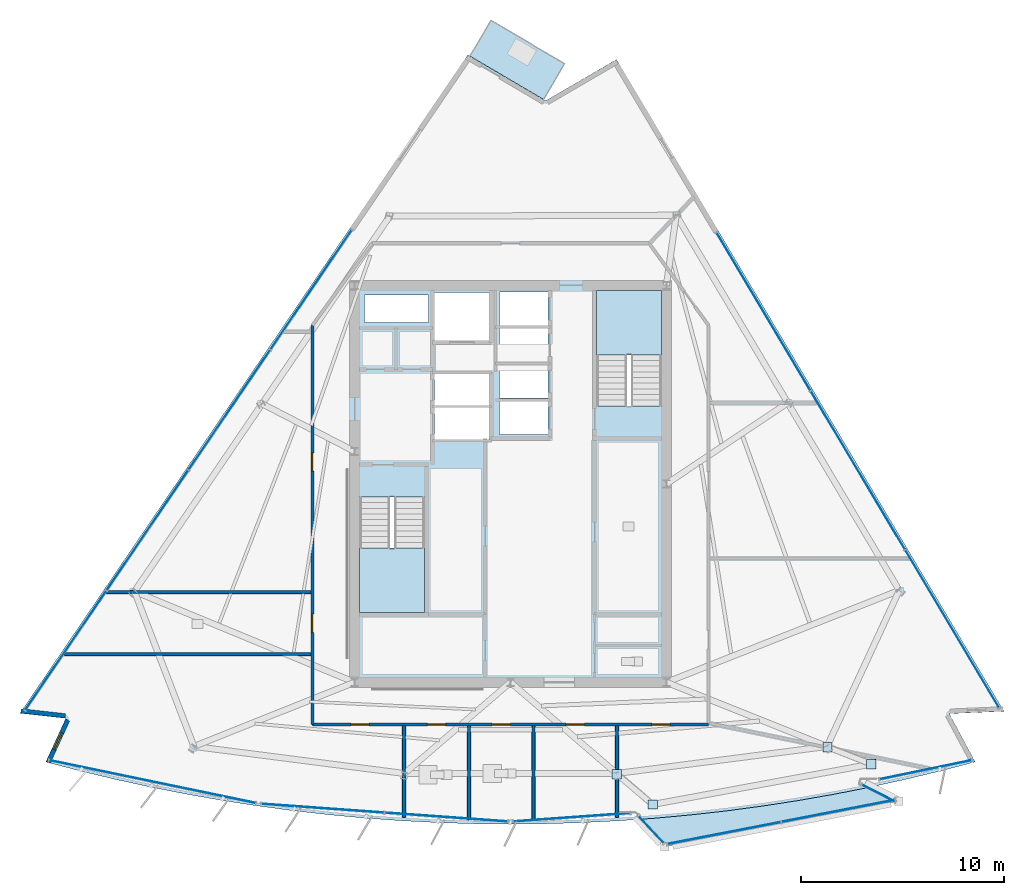
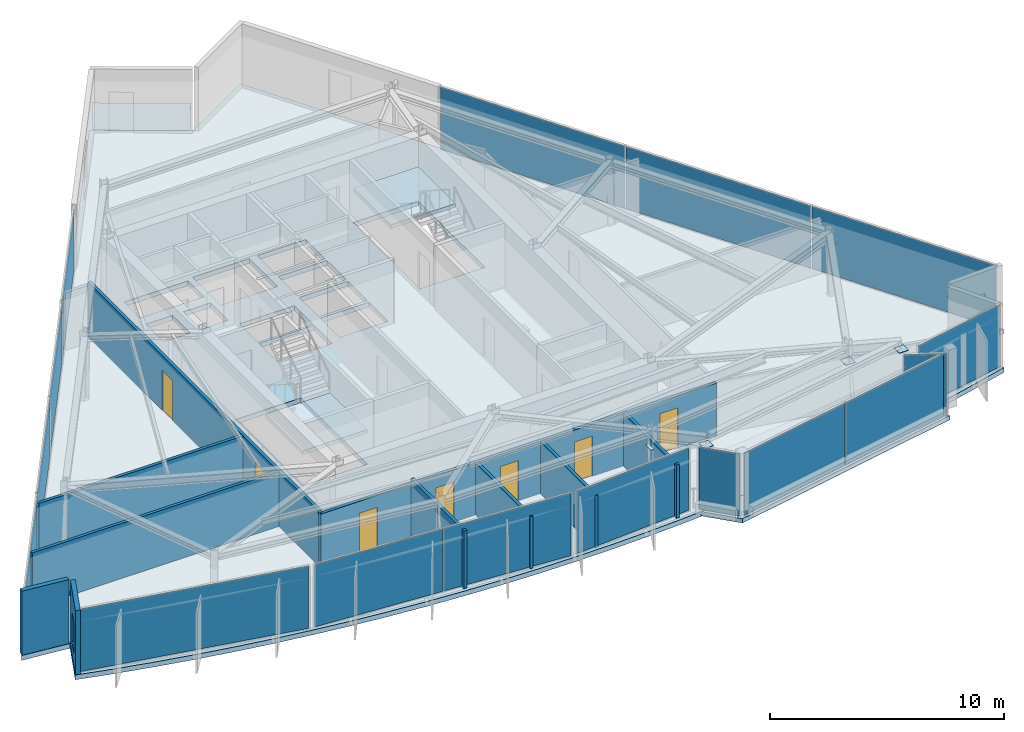
# One storey, part 6 of 12: 20 plates, 10 walls, 7 doors, 5 slabs, 1 window, 8 openings, 11 elements without a shape of their own.
"""IFC4 building model written with IfcOpenShell, lengths in metres."""

from ifc_helpers import new_model, si_unit, direction, frame, frame_2d, origin, origin_2d, place, context, subcontext, project, spatial, polyline, rectangle, outline, extrude, material, layer, layer_set, type_object, element, fill, aggregate, save


model = new_model("IFC4")

# Units and contexts
model_context = context("Model", 3, precision=1e-05, world=origin(), true_north=direction((0.0, 1.0)))
body_context = subcontext(model_context, "Body", "Model", "MODEL_VIEW")
ifc_project = project(units=[si_unit("LENGTHUNIT", "METRE"), si_unit("AREAUNIT", "SQUARE_METRE"), si_unit("VOLUMEUNIT", "CUBIC_METRE"), si_unit("PLANEANGLEUNIT", "RADIAN"), si_unit("MASSUNIT", "GRAM", prefix="KILO")], contexts=[model_context])

# Site, building, storey
site_placement = place(None, origin())
site = spatial("IfcSite", under=ifc_project, at=site_placement, CompositionType="ELEMENT")
building_placement = place(site_placement, origin())
building = spatial("IfcBuilding", under=site, at=building_placement, Name="Savorim Split Tower", CompositionType="ELEMENT")
storey_placement = place(building_placement, frame((0.0, 0.0, 261.60009765625)))
storey = spatial("IfcBuildingStorey", under=building, at=storey_placement, Name="L69", CompositionType="ELEMENT", Elevation=261.60009765625)

# Curtain wall, plate
ifc_material_1 = material(Name="Dark Ceramic-Fritted Insulated Glass", Category="glass")
curtain_wall_type_1 = type_object("IfcCurtainWallType", Name="CW-TWR-FRIT-B", PredefinedType="NOTDEFINED", material=ifc_material_1)
curtain_wall_1_placement = place(storey_placement, origin())
curtain_wall_1 = element("IfcCurtainWall", 1, at=curtain_wall_1_placement, inside=storey, type_object=curtain_wall_type_1, Name="L69 Curtain Wall CW-L69-SF1A", PredefinedType="NOTDEFINED")
ifc_layer_1 = layer(ifc_material_1, 0.02587890625)
ifc_layer_set_1 = layer_set([ifc_layer_1], Name="CWP-FRITB-26")
plate_type_1 = type_object("IfcPlateType", Name="CWP-FRITB-26", PredefinedType="CURTAIN_PANEL", material=ifc_layer_set_1)
plate_1_placement = place(storey_placement, frame((-17.679443359375, -14.303466796875, 0.0498046875), z_axis=(0.0, 0.0, 1.0), x_axis=(0.979135123364, -0.20321026105, 0.0)))
plate_1 = element("IfcPlate", 2, at=plate_1_placement, type_object=plate_type_1, Name="CW-03 panel 1.1", PredefinedType="CURTAIN_PANEL", context=body_context, shape_type="SweptSolid", body=[
    extrude(rectangle(XDim=10.390380859375, YDim=0.02587890625, at=origin_2d()), origin(), (0.0, 0.0, 1.0), 3.25),
])
aggregate(curtain_wall_1, [plate_1])

# Curtain wall, plates
curtain_wall_2_placement = place(storey_placement, origin())
curtain_wall_2 = element("IfcCurtainWall", 3, at=curtain_wall_2_placement, inside=storey, type_object=curtain_wall_type_1, Name="L69 Curtain Wall CW-L69-SF2A", PredefinedType="NOTDEFINED")
plate_2_placement = place(storey_placement, frame((-9.27197265625, -15.61767578125, 0.0498046875), z_axis=(0.0, 0.0, 1.0), x_axis=(0.997435978432, -0.071564439004, 0.0)))
plate_2 = element("IfcPlate", 4, at=plate_2_placement, type_object=plate_type_1, Name="CW-03 panel 1.1", PredefinedType="CURTAIN_PANEL", context=body_context, shape_type="SweptSolid", body=[
    extrude(rectangle(XDim=6.05615234375, YDim=0.02587890625, at=origin_2d()), origin(), (0.0, 0.0, 1.0), 3.25),
])
plate_3_placement = place(storey_placement, frame((-3.17138671875, -16.055419921875, 0.0498046875), z_axis=(0.0, 0.0, 1.0), x_axis=(0.997435978432, -0.071564439004, 0.0)))
plate_3 = element("IfcPlate", 5, at=plate_3_placement, type_object=plate_type_1, Name="CW-03 panel 2.1", PredefinedType="CURTAIN_PANEL", context=body_context, shape_type="SweptSolid", body=[
    extrude(rectangle(XDim=6.05615234375, YDim=0.02587890625, at=origin_2d()), origin(), (0.0, 0.0, 1.0), 3.25),
])
aggregate(curtain_wall_2, [plate_2, plate_3])

# Curtain wall, plate
curtain_wall_3_placement = place(storey_placement, origin())
curtain_wall_3 = element("IfcCurtainWall", 6, at=curtain_wall_3_placement, inside=storey, type_object=curtain_wall_type_1, Name="L69 Curtain Wall CW-L69-SF3A", PredefinedType="NOTDEFINED")
plate_4_placement = place(storey_placement, frame((3.019287109375, -16.06640625, 0.0498046875), z_axis=(0.0, 0.0, 1.0), x_axis=(0.997435475677, 0.071571445854, 0.0)))
plate_4 = element("IfcPlate", 7, at=plate_4_placement, type_object=plate_type_1, Name="CW-03 panel 1.1", PredefinedType="CURTAIN_PANEL", context=body_context, shape_type="SweptSolid", body=[
    extrude(rectangle(XDim=5.7509765625, YDim=0.02587890625, at=origin_2d()), origin(), (0.0, 0.0, 1.0), 3.25),
])
aggregate(curtain_wall_3, [plate_4])

curtain_wall_4_placement = place(storey_placement, origin())
curtain_wall_4 = element("IfcCurtainWall", 8, at=curtain_wall_4_placement, inside=storey, type_object=curtain_wall_type_1, Name="L69 Curtain Wall CW-L69-SF4A", PredefinedType="NOTDEFINED")
plate_5_placement = place(storey_placement, frame((20.5029296875, -13.717529296875, 0.0498046875), z_axis=(0.0, 0.0, 1.0), x_axis=(0.979135895435, 0.203206540915, 0.0)))
plate_5 = element("IfcPlate", 9, at=plate_5_placement, type_object=plate_type_1, Name="CW-03 panel 1.1", PredefinedType="CURTAIN_PANEL", context=body_context, shape_type="SweptSolid", body=[
    extrude(rectangle(XDim=4.623046875, YDim=0.02587890625, at=origin_2d()), origin(), (0.0, 0.0, 1.0), 3.25),
])
aggregate(curtain_wall_4, [plate_5])

# Curtain wall, plates
curtain_wall_5_placement = place(storey_placement, origin())
curtain_wall_5 = element("IfcCurtainWall", 10, at=curtain_wall_5_placement, inside=storey, type_object=curtain_wall_type_1, Name="L69 Curtain Wall CW-L69-EAST", PredefinedType="NOTDEFINED")
plate_6_placement = place(storey_placement, frame((21.8134765625, -6.76904296875, 0.0498046875), z_axis=(0.0, 0.0, 1.0), x_axis=(-0.511090267573, 0.859527043432, 0.0)))
plate_6 = element("IfcPlate", 11, at=plate_6_placement, type_object=plate_type_1, Name="CW-03 panel 1.1", PredefinedType="CURTAIN_PANEL", context=body_context, shape_type="SweptSolid", body=[
    extrude(rectangle(XDim=9.0380859375, YDim=0.02587890625, at=origin_2d()), origin(), (0.0, 0.0, 1.0), 3.25),
])
plate_7_placement = place(storey_placement, frame((17.15576171875, 1.064208984375, 0.0498046875), z_axis=(0.0, 0.0, 1.0), x_axis=(-0.511090267573, 0.859527043432, 0.0)))
plate_7 = element("IfcPlate", 12, at=plate_7_placement, type_object=plate_type_1, Name="CW-03 panel 2.1", PredefinedType="CURTAIN_PANEL", context=body_context, shape_type="SweptSolid", body=[
    extrude(rectangle(XDim=9.068115234375, YDim=0.02587890625, at=origin_2d()), origin(), (0.0, 0.0, 1.0), 3.25),
])
plate_8_placement = place(storey_placement, frame((12.498046875, 8.897216796875, 0.0498046875), z_axis=(0.0, 0.0, 1.0), x_axis=(-0.511090267573, 0.859527043432, 0.0)))
plate_8 = element("IfcPlate", 13, at=plate_8_placement, type_object=plate_type_1, Name="CW-03 panel 3.1", PredefinedType="CURTAIN_PANEL", context=body_context, shape_type="SweptSolid", body=[
    extrude(rectangle(XDim=9.0380859375, YDim=0.02587890625, at=origin_2d()), origin(), (0.0, 0.0, 1.0), 3.25),
])
aggregate(curtain_wall_5, [plate_6, plate_7, plate_8])

curtain_wall_6_placement = place(storey_placement, origin())
curtain_wall_6 = element("IfcCurtainWall", 14, at=curtain_wall_6_placement, inside=storey, type_object=curtain_wall_type_1, Name="L69 Curtain Wall CW-L69-WEST", PredefinedType="NOTDEFINED")
plate_9_placement = place(storey_placement, frame((-9.847900390625, 9.9853515625, 0.0498046875), z_axis=(0.0, 0.0, 1.0), x_axis=(-0.562470325215, -0.826817472755, 0.0)))
plate_9 = element("IfcPlate", 15, at=plate_9_placement, type_object=plate_type_1, Name="CW-03 panel 1.1", PredefinedType="CURTAIN_PANEL", context=body_context, shape_type="SweptSolid", body=[
    extrude(rectangle(XDim=7.1015625, YDim=0.02587890625, at=origin_2d()), origin(), (0.0, 0.0, 1.0), 3.25),
])
plate_10_placement = place(storey_placement, frame((-13.884521484375, 4.0517578125, 0.0498046875), z_axis=(0.0, 0.0, 1.0), x_axis=(-0.562470325215, -0.826817472755, 0.0)))
plate_10 = element("IfcPlate", 16, at=plate_10_placement, type_object=plate_type_1, Name="CW-03 panel 2.1", PredefinedType="CURTAIN_PANEL", context=body_context, shape_type="SweptSolid", body=[
    extrude(rectangle(XDim=7.131591796875, YDim=0.02587890625, at=origin_2d()), origin(), (0.0, 0.0, 1.0), 3.25),
])
plate_11_placement = place(storey_placement, frame((-17.929443359375, -1.894287109375, 0.0498046875), z_axis=(0.0, 0.0, 1.0), x_axis=(-0.562470325215, -0.826817472755, 0.0)))
plate_11 = element("IfcPlate", 17, at=plate_11_placement, type_object=plate_type_1, Name="CW-03 panel 3.1", PredefinedType="CURTAIN_PANEL", context=body_context, shape_type="SweptSolid", body=[
    extrude(rectangle(XDim=7.131591796875, YDim=0.02587890625, at=origin_2d()), origin(), (0.0, 0.0, 1.0), 3.25),
])
plate_12_placement = place(storey_placement, frame((-21.966064453125, -7.827880859375, 0.0498046875), z_axis=(0.0, 0.0, 1.0), x_axis=(-0.562470325215, -0.826817472755, 0.0)))
plate_12 = element("IfcPlate", 18, at=plate_12_placement, type_object=plate_type_1, Name="CW-03 panel 4.1", PredefinedType="CURTAIN_PANEL", context=body_context, shape_type="SweptSolid", body=[
    extrude(rectangle(XDim=7.1015625, YDim=0.02587890625, at=origin_2d()), origin(), (0.0, 0.0, 1.0), 3.25),
])
aggregate(curtain_wall_6, [plate_9, plate_10, plate_11, plate_12])

curtain_wall_type_2 = type_object("IfcCurtainWallType", Name="CW-BAY-LOUNGE", PredefinedType="NOTDEFINED", material=ifc_material_1)
curtain_wall_7_placement = place(storey_placement, origin())
curtain_wall_7 = element("IfcCurtainWall", 19, at=curtain_wall_7_placement, inside=storey, type_object=curtain_wall_type_2, Name="L69 Curtain Wall CW-L69-BAYF", PredefinedType="NOTDEFINED")
ifc_material_2 = material(Name="Low-E Operable Double Glazing", Category="glass")
ifc_layer_2 = layer(ifc_material_2, 0.031982421875)
ifc_layer_set_2 = layer_set([ifc_layer_2], Name="CWP-POD-32")
plate_type_2 = type_object("IfcPlateType", Name="CWP-POD-32", PredefinedType="CURTAIN_PANEL", material=ifc_layer_set_2)
plate_13_placement = place(storey_placement, frame((10.5537109375, -16.84375, 0.0546875), z_axis=(0.0, 0.0, 1.0), x_axis=(0.98168331682, 0.190519987082, 0.0)))
plate_13 = element("IfcPlate", 20, at=plate_13_placement, type_object=plate_type_2, Name="CW-04 panel 1.1", PredefinedType="CURTAIN_PANEL", context=body_context, shape_type="SweptSolid", body=[
    extrude(rectangle(XDim=5.67041015625, YDim=0.031982421875, at=origin_2d()), origin(), (0.0, 0.0, 1.0), 3.239990234375),
])
plate_14_placement = place(storey_placement, frame((16.18408203125, -15.7509765625, 0.0546875), z_axis=(0.0, 0.0, 1.0), x_axis=(0.98168331682, 0.190519987082, 0.0)))
plate_14 = element("IfcPlate", 21, at=plate_14_placement, type_object=plate_type_2, Name="CW-04 panel 2.1", PredefinedType="CURTAIN_PANEL", context=body_context, shape_type="SweptSolid", body=[
    extrude(rectangle(XDim=5.67041015625, YDim=0.031982421875, at=origin_2d()), origin(), (0.0, 0.0, 1.0), 3.239990234375),
])
aggregate(curtain_wall_7, [plate_13, plate_14])

# Curtain wall, plate
curtain_wall_8_placement = place(storey_placement, origin())
curtain_wall_8 = element("IfcCurtainWall", 22, at=curtain_wall_8_placement, inside=storey, type_object=curtain_wall_type_2, Name="L69 Curtain Wall CW-L69-BAYW", PredefinedType="NOTDEFINED")
plate_15_placement = place(storey_placement, frame((6.948974609375, -16.668212890625, 0.0546875), z_axis=(0.0, 0.0, 1.0), x_axis=(0.6838502497, -0.729622392738, 0.0)))
plate_15 = element("IfcPlate", 23, at=plate_15_placement, type_object=plate_type_2, Name="CW-04 panel 1.1", PredefinedType="CURTAIN_PANEL", context=body_context, shape_type="SweptSolid", body=[
    extrude(rectangle(XDim=1.81005859375, YDim=0.031982421875, at=origin_2d()), origin(), (0.0, 0.0, 1.0), 3.239990234375),
])
aggregate(curtain_wall_8, [plate_15])

curtain_wall_9_placement = place(storey_placement, origin())
curtain_wall_9 = element("IfcCurtainWall", 24, at=curtain_wall_9_placement, inside=storey, type_object=curtain_wall_type_2, Name="L69 Curtain Wall CW-L69-BAYE", PredefinedType="NOTDEFINED")
plate_16_placement = place(storey_placement, frame((18.170166015625, -14.875, 0.0546875), z_axis=(0.0, 0.0, 1.0), x_axis=(-0.890065809413, 0.455832046827, 0.0)))
plate_16 = element("IfcPlate", 25, at=plate_16_placement, type_object=plate_type_2, Name="CW-04 panel 1.1", PredefinedType="CURTAIN_PANEL", context=body_context, shape_type="SweptSolid", body=[
    extrude(rectangle(XDim=1.81005859375, YDim=0.031982421875, at=origin_2d()), origin(), (0.0, 0.0, 1.0), 3.239990234375),
])
aggregate(curtain_wall_9, [plate_16])

# Plates
ifc_material_3 = material(Name="Steel S460", Category="steel")
ifc_layer_3 = layer(ifc_material_3, 0.02490234375)
ifc_layer_set_3 = layer_set([ifc_layer_3], Name="PLT-NODE-CN1")
plate_type_3 = type_object("IfcPlateType", Name="PLT-NODE-CN1", PredefinedType="SHEET", material=ifc_layer_set_3)
for number, where, z_axis, x_axis, name in (
    (26, (5.246826171875, -13.942138671875, 2.4375), (0.0, 0.0, 1.0), (1.0, 0.0, 0.0), "L69 Bay Strut Column Gusset Plate 1"),
    (27, (7.021240234375, -15.433349609375, 2.807373046875), (0.0, 0.0, 1.0), (1.0, 0.0, 0.0), "L69 Bay Strut Tip Gusset Plate 1"),
    (28, (15.655029296875, -12.60595703125, 2.4375), (0.0, 0.0, 1.0), (1.0, 0.0, 0.0), "L69 Bay Strut Column Gusset Plate 2"),
    (29, (17.81396484375, -13.43896484375, 2.807373046875), (0.0, 0.0, 1.0), (1.0, 0.0, 0.0), "L69 Bay Strut Tip Gusset Plate 2"),
):
    element("IfcPlate", number, at=place(storey_placement, frame(where, z_axis=z_axis, x_axis=x_axis)), inside=storey, type_object=plate_type_3, Name=name, PredefinedType="SHEET", context=body_context, shape_type="SweptSolid", body=[
        extrude(rectangle(XDim=0.4599609375, YDim=0.4599609375, at=origin_2d()), origin(), (0.0, 0.0, 1.0), 0.02490234375),
    ])

# Slabs
ifc_material_4 = material(Name="Concrete C50/60", Category="concrete")
ifc_layer_4 = layer(ifc_material_4, 0.219970703125)
ifc_layer_set_4 = layer_set([ifc_layer_4], Name="SLB-BAL-220")
slab_type_1 = type_object("IfcSlabType", Name="SLB-BAL-220", PredefinedType="FLOOR", material=ifc_layer_set_4)
slab_1_placement = place(storey_placement, frame((0.0, 0.0, -0.22021484375)))
element("IfcSlab", 30, at=slab_1_placement, inside=storey, type_object=slab_type_1, Name="L69 Cantilevered Shared Kitchen Lounge Slab", PredefinedType="FLOOR", context=body_context, shape_type="SweptSolid", body=[
    extrude(outline(polyline([(17.79345703125, -14.569580078125), (17.7373046875, -14.58203125), (15.984619140625, -14.927001953125), (14.2255859375, -15.236083984375), (12.46044921875, -15.50927734375), (10.690185546875, -15.74609375), (8.915283203125, -15.94677734375), (7.13671875, -16.111083984375), (6.343017578125, -16.16796875), (7.60791015625, -17.517333984375), (19.16796875, -15.273681640625), (17.79345703125, -14.569580078125)])), origin(), (0.0, 0.0, 1.0), 0.22021484375),
])
slab_2_placement = place(storey_placement, frame((0.0, 0.0, -0.22021484375)))
element("IfcSlab", 31, at=slab_2_placement, inside=storey, type_object=slab_type_1, Name="L69 Notched Corner Planted Tree Balcony Slab", PredefinedType="FLOOR", context=body_context, shape_type="SweptSolid", body=[
    extrude(outline(polyline([(-2.001708984375, 21.5205078125), (1.63623046875, 19.38232421875), (2.67236328125, 21.1455078125), (-0.96533203125, 23.283447265625), (-2.001708984375, 21.5205078125)])), origin(), (0.0, 0.0, 1.0), 0.22021484375),
])

# Stair, slab
stair_type = type_object("IfcStairType", Name="STR-DOG-3600", PredefinedType="HALF_TURN_STAIR", material=ifc_material_4)
stair_1_placement = place(storey_placement, origin())
stair_1 = element("IfcStair", 32, at=stair_1_placement, inside=storey, type_object=stair_type, Name="L69 Core Protected Exit Stair ST-1", PredefinedType="HALF_TURN_STAIR")
ifc_layer_5 = layer(ifc_material_4, 0.199951171875)
ifc_layer_set_5 = layer_set([ifc_layer_5], Name="SLB-LND-200")
slab_type_2 = type_object("IfcSlabType", Name="SLB-LND-200", PredefinedType="LANDING", material=ifc_layer_set_5)
slab_3_placement = place(storey_placement, frame((0.0, 0.0, 1.599853515625)))
slab_3 = element("IfcSlab", 33, at=slab_3_placement, type_object=slab_type_2, Name="ST-1 landing 1", PredefinedType="LANDING", context=body_context, shape_type="SweptSolid", body=[
    extrude(outline(polyline([(-7.449951171875, -2.77001953125), (-7.449951171875, -5.949951171875), (-4.25, -5.949951171875), (-4.25, -2.77001953125), (-7.449951171875, -2.77001953125)])), origin(), (0.0, 0.0, 1.0), 0.199951171875),
])
aggregate(stair_1, [slab_3])

stair_2_placement = place(storey_placement, origin())
stair_2 = element("IfcStair", 34, at=stair_2_placement, inside=storey, type_object=stair_type, Name="L69 Core Protected Exit Stair ST-2", PredefinedType="HALF_TURN_STAIR")
slab_4_placement = place(storey_placement, frame((0.0, 0.0, 1.599853515625)))
slab_4 = element("IfcSlab", 35, at=slab_4_placement, type_object=slab_type_2, Name="ST-2 landing 1", PredefinedType="LANDING", context=body_context, shape_type="SweptSolid", body=[
    extrude(outline(polyline([(7.449951171875, 6.77001953125), (7.449951171875, 9.949951171875), (4.25, 9.949951171875), (4.25, 6.77001953125), (7.449951171875, 6.77001953125)])), origin(), (0.0, 0.0, 1.0), 0.199951171875),
])
aggregate(stair_2, [slab_4])

# Slab
ifc_layer_6 = layer(ifc_material_4, 0.25)
ifc_layer_set_6 = layer_set([ifc_layer_6], Name="SLB-TWR-250")
slab_type_3 = type_object("IfcSlabType", Name="SLB-TWR-250", PredefinedType="FLOOR", material=ifc_layer_set_6)
slab_5_placement = place(storey_placement, frame((0.0, 0.0, -0.25)))
element("IfcSlab", 36, at=slab_5_placement, inside=storey, type_object=slab_type_3, Name="L69 Structural Floor Slab", PredefinedType="FLOOR", context=body_context, shape_type="SweptSolid", body=[
    extrude(outline(polyline([(-22.947265625, -13.332763671875), (-21.21923828125, -13.78466796875), (-19.482421875, -14.201171875), (-17.7373046875, -14.58203125), (-15.984619140625, -14.927001953125), (-14.2255859375, -15.236083984375), (-12.46044921875, -15.50927734375), (-10.690185546875, -15.74609375), (-8.915283203125, -15.94677734375), (-7.13671875, -16.111083984375), (-5.35498046875, -16.23876953125), (-3.5712890625, -16.330078125), (-1.785888671875, -16.385009765625), (0.0, -16.4033203125), (1.785888671875, -16.385009765625), (3.5712890625, -16.330078125), (5.35498046875, -16.23876953125), (7.13671875, -16.111083984375), (8.915283203125, -15.94677734375), (10.690185546875, -15.74609375), (12.46044921875, -15.50927734375), (14.2255859375, -15.236083984375), (15.984619140625, -14.927001953125), (17.7373046875, -14.58203125), (19.482421875, -14.201171875), (21.21923828125, -13.78466796875), (22.947265625, -13.332763671875), (21.667236328125, -10.947509765625), (24.369384765625, -10.83251953125), (5.23095703125, 21.353515625), (1.7373046875, 19.317138671875), (-2.107666015625, 21.576904296875), (-24.219970703125, -10.927734375), (-21.958251953125, -11.180419921875), (-22.947265625, -13.332763671875)]), holes=[polyline([(-7.449951171875, -0.25390625), (-7.449951171875, -5.949951171875), (-4.25, -5.949951171875), (-4.25, -0.25390625), (-7.449951171875, -0.25390625)]), polyline([(7.449951171875, 4.25390625), (7.449951171875, 9.949951171875), (4.25, 9.949951171875), (4.25, 4.25390625), (7.449951171875, 4.25390625)]), polyline([(-0.550048828125, 2.830078125), (1.85009765625, 2.830078125), (1.85009765625, 4.469970703125), (-0.550048828125, 4.469970703125), (-0.550048828125, 2.830078125)]), polyline([(-0.550048828125, 4.6298828125), (1.85009765625, 4.6298828125), (1.85009765625, 6.27001953125), (-0.550048828125, 6.27001953125), (-0.550048828125, 4.6298828125)]), polyline([(-0.550048828125, 6.429931640625), (1.85009765625, 6.429931640625), (1.85009765625, 8.070068359375), (-0.550048828125, 8.070068359375), (-0.550048828125, 6.429931640625)]), polyline([(-0.550048828125, 8.22998046875), (1.85009765625, 8.22998046875), (1.85009765625, 9.8701171875), (-0.550048828125, 9.8701171875), (-0.550048828125, 8.22998046875)]), polyline([(-3.75, 2.60009765625), (-1.050048828125, 2.60009765625), (-1.050048828125, 4.159912109375), (-3.75, 4.159912109375), (-3.75, 2.60009765625)]), polyline([(-3.75, 4.280029296875), (-1.050048828125, 4.280029296875), (-1.050048828125, 5.840087890625), (-3.75, 5.840087890625), (-3.75, 4.280029296875)]), polyline([(-3.75, 7.449951171875), (-0.949951171875, 7.449951171875), (-0.949951171875, 9.85009765625), (-3.75, 9.85009765625), (-3.75, 7.449951171875)]), polyline([(-7.219970703125, 6.320068359375), (-5.919921875, 6.320068359375), (-5.919921875, 7.820068359375), (-7.219970703125, 7.820068359375), (-7.219970703125, 6.320068359375)]), polyline([(-5.3798828125, 6.320068359375), (-4.050048828125, 6.320068359375), (-4.050048828125, 7.820068359375), (-5.3798828125, 7.820068359375), (-5.3798828125, 6.320068359375)]), polyline([(-7.219970703125, 8.360107421875), (-4.050048828125, 8.360107421875), (-4.050048828125, 9.719970703125), (-7.219970703125, 9.719970703125), (-7.219970703125, 8.360107421875)])]), origin(), (0.0, 0.0, 1.0), 0.25),
])

# Wall
ifc_material_5 = material(Name="Precast concrete C40/50", Category="concrete")
ifc_layer_7 = layer(ifc_material_5, 0.219970703125)
ifc_layer_set_7 = layer_set([ifc_layer_7], Name="WAL-EXT-CRN220")
wall_type_1 = type_object("IfcWallType", Name="WAL-EXT-CRN220", PredefinedType="SOLIDWALL", material=ifc_layer_set_7)
wall_1_placement = place(storey_placement, frame((-21.984619140625, -11.056640625, 0.0), z_axis=(0.0, 0.0, 1.0), x_axis=(-0.993823926228, 0.110968480463, 0.0)))
element("IfcWall", 37, at=wall_1_placement, inside=storey, type_object=wall_type_1, Name="L69 Notched Corner Facade Wall SW1", PredefinedType="SOLIDWALL", context=body_context, shape_type="SweptSolid", body=[
    extrude(rectangle(XDim=2.19580078125, YDim=0.219970703125, at=frame_2d((1.097900390625, 0.0))), origin(), (0.0, 0.0, 1.0), 3.349853515625),
])

# Wall, opening, window
wall_2_placement = place(storey_placement, frame((-22.821533203125, -13.3466796875, 0.0), z_axis=(0.0, 0.0, 1.0), x_axis=(0.417447808253, 0.908700900949, 0.0)))
wall_2 = element("IfcWall", 38, at=wall_2_placement, inside=storey, type_object=wall_type_1, Name="L69 Notched Corner Facade Wall SW", PredefinedType="SOLIDWALL", context=body_context, shape_type="SweptSolid", body=[
    extrude(rectangle(XDim=2.2890625, YDim=0.219970703125, at=frame_2d((1.14453125, 0.0))), origin(), (0.0, 0.0, 1.0), 3.349853515625),
])
opening_1_placement = place(wall_2_placement, frame((0.694580078125, 0.0, 0.6201171875)))
opening_1 = element("IfcOpeningElement", 39, at=opening_1_placement, cuts=wall_2, Name="Opening WN-10", PredefinedType="OPENING", context=body_context, shape_type="SweptSolid", body=[
    extrude(rectangle(XDim=0.89990234375, YDim=1.60009765625, at=frame_2d((0.449951171875, 0.800048828125))), frame((0.0, 0.119873046875, 0.0), z_axis=(0.0, -1.0, 0.0), x_axis=(1.0, 0.0, 0.0)), (0.0, 0.0, 1.0), 0.239990234375),
])
window_type = type_object("IfcWindowType", Name="WIN-TWR-900x1600", PartitioningType="SINGLE_PANEL", PredefinedType="WINDOW", material=ifc_material_2)
window_placement = place(opening_1_placement, origin())
window = element("IfcWindow", 40, at=window_placement, inside=storey, type_object=window_type, Name="L69 Operable Corner Window SW", OverallHeight=1.60009765625, OverallWidth=0.89990234375, PartitioningType="SINGLE_PANEL", PredefinedType="WINDOW", context=body_context, shape_type="SweptSolid", body=[
    extrude(rectangle(XDim=0.89990234375, YDim=1.60009765625, at=frame_2d((0.449951171875, 0.800048828125))), frame((0.0, 0.030029296875, 0.0), z_axis=(0.0, -1.0, 0.0), x_axis=(1.0, 0.0, 0.0)), (0.0, 0.0, 1.0), 0.06005859375),
])
fill(opening_1, window)

# Wall, openings, doors
ifc_material_6 = material(Name="Acoustic Gypsum Partition Board")
ifc_layer_8 = layer(ifc_material_6, 0.14990234375)
ifc_layer_set_8 = layer_set([ifc_layer_8], Name="WAL-PAR-150")
wall_type_2 = type_object("IfcWallType", Name="WAL-PAR-150", PredefinedType="PARTITIONING", material=ifc_layer_set_8)
wall_3_placement = place(storey_placement, frame((-9.780029296875, -11.47998046875, 0.0), z_axis=(0.0, 0.0, 1.0), x_axis=(0.0, 1.0, 0.0)))
wall_3 = element("IfcWall", 41, at=wall_3_placement, inside=storey, type_object=wall_type_2, Name="L69 Partition W-L69-COR-01", PredefinedType="PARTITIONING", context=body_context, shape_type="SweptSolid", body=[
    extrude(rectangle(XDim=19.705810546875, YDim=0.14990234375, at=frame_2d((9.85302734375, 0.0))), origin(), (0.0, 0.0, 1.0), 2.875),
])
opening_2_placement = place(wall_3_placement, frame((12.510009765625, 0.0, 0.0)))
opening_2 = element("IfcOpeningElement", 42, at=opening_2_placement, cuts=wall_3, Name="Opening DI-06", PredefinedType="OPENING", context=body_context, shape_type="SweptSolid", body=[
    extrude(rectangle(XDim=0.89990234375, YDim=2.10009765625, at=frame_2d((0.449951171875, 1.050048828125))), frame((0.0, 0.0849609375, 0.0), z_axis=(0.0, -1.0, 0.0), x_axis=(1.0, 0.0, 0.0)), (0.0, 0.0, 1.0), 0.169921875),
])
opening_3_placement = place(wall_3_placement, frame((4.549072265625, 0.0, 0.0)))
opening_3 = element("IfcOpeningElement", 43, at=opening_3_placement, cuts=wall_3, Name="Opening DI-06", PredefinedType="OPENING", context=body_context, shape_type="SweptSolid", body=[
    extrude(rectangle(XDim=0.89990234375, YDim=2.10009765625, at=frame_2d((0.449951171875, 1.050048828125))), frame((0.0, 0.0849609375, 0.0), z_axis=(0.0, -1.0, 0.0), x_axis=(1.0, 0.0, 0.0)), (0.0, 0.0, 1.0), 0.169921875),
])
ifc_material_7 = material(Name="Timber Fire Door Leaf", Category="wood")
door_type_1 = type_object("IfcDoorType", Name="DOR-FIR-900", OperationType="NOTDEFINED", PredefinedType="DOOR", material=ifc_material_7)
door_1_placement = place(opening_2_placement, origin())
door_1 = element("IfcDoor", 44, at=door_1_placement, inside=storey, type_object=door_type_1, Name="DR-L69-RM01 - L69 Co-Working Commons Entry Door", OperationType="SINGLE_SWING_RIGHT", OverallHeight=2.10009765625, OverallWidth=0.89990234375, PredefinedType="DOOR", context=body_context, shape_type="SweptSolid", body=[
    extrude(rectangle(XDim=0.89990234375, YDim=2.10009765625, at=frame_2d((0.449951171875, 1.050048828125))), frame((0.0, 0.02490234375, 0.0), z_axis=(0.0, -1.0, 0.0), x_axis=(1.0, 0.0, 0.0)), (0.0, 0.0, 1.0), 0.050048828125),
])
fill(opening_2, door_1)
door_2_placement = place(opening_3_placement, origin())
door_2 = element("IfcDoor", 45, at=door_2_placement, inside=storey, type_object=door_type_1, Name="DR-L69-RM02 - L69 Shared Kitchen Entry Door", OperationType="SINGLE_SWING_LEFT", OverallHeight=2.10009765625, OverallWidth=0.89990234375, PredefinedType="DOOR", context=body_context, shape_type="SweptSolid", body=[
    extrude(rectangle(XDim=0.89990234375, YDim=2.10009765625, at=frame_2d((0.449951171875, 1.050048828125))), frame((0.0, 0.02490234375, 0.0), z_axis=(0.0, -1.0, 0.0), x_axis=(1.0, 0.0, 0.0)), (0.0, 0.0, 1.0), 0.050048828125),
])
fill(opening_3, door_2)

wall_4_placement = place(storey_placement, frame((9.780029296875, -11.47998046875, 0.0), z_axis=(0.0, 0.0, 1.0), x_axis=(-1.0, 0.0, 0.0)))
wall_4 = element("IfcWall", 46, at=wall_4_placement, inside=storey, type_object=wall_type_2, Name="L69 Partition W-L69-COR-06", PredefinedType="PARTITIONING", context=body_context, shape_type="SweptSolid", body=[
    extrude(rectangle(XDim=19.56005859375, YDim=0.14990234375, at=frame_2d((9.780029296875, 0.0))), origin(), (0.0, 0.0, 1.0), 2.724853515625),
])
opening_4_placement = place(wall_4_placement, frame((16.756591796875, 0.0, 0.0)))
opening_4 = element("IfcOpeningElement", 47, at=opening_4_placement, cuts=wall_4, Name="Opening DI-06", PredefinedType="OPENING", context=body_context, shape_type="SweptSolid", body=[
    extrude(rectangle(XDim=0.89990234375, YDim=2.10009765625, at=frame_2d((0.449951171875, 1.050048828125))), frame((0.0, 0.0849609375, 0.0), z_axis=(0.0, -1.0, 0.0), x_axis=(1.0, 0.0, 0.0)), (0.0, 0.0, 1.0), 0.169921875),
])
opening_5_placement = place(wall_4_placement, frame((12.98291015625, 0.0, 0.0)))
opening_5 = element("IfcOpeningElement", 48, at=opening_5_placement, cuts=wall_4, Name="Opening DI-11", PredefinedType="OPENING", context=body_context, shape_type="SweptSolid", body=[
    extrude(rectangle(XDim=0.89990234375, YDim=2.10009765625, at=frame_2d((0.449951171875, 1.050048828125))), frame((0.0, 0.0849609375, 0.0), z_axis=(0.0, -1.0, 0.0), x_axis=(1.0, 0.0, 0.0)), (0.0, 0.0, 1.0), 0.169921875),
])
opening_6_placement = place(wall_4_placement, frame((9.785888671875, 0.0, 0.0)))
opening_6 = element("IfcOpeningElement", 49, at=opening_6_placement, cuts=wall_4, Name="Opening DI-11", PredefinedType="OPENING", context=body_context, shape_type="SweptSolid", body=[
    extrude(rectangle(XDim=0.89990234375, YDim=2.10009765625, at=frame_2d((0.449951171875, 1.050048828125))), frame((0.0, 0.0849609375, 0.0), z_axis=(0.0, -1.0, 0.0), x_axis=(1.0, 0.0, 0.0)), (0.0, 0.0, 1.0), 0.169921875),
])
opening_7_placement = place(wall_4_placement, frame((6.133056640625, 0.0, 0.0)))
opening_7 = element("IfcOpeningElement", 50, at=opening_7_placement, cuts=wall_4, Name="Opening DI-06", PredefinedType="OPENING", context=body_context, shape_type="SweptSolid", body=[
    extrude(rectangle(XDim=0.89990234375, YDim=2.10009765625, at=frame_2d((0.449951171875, 1.050048828125))), frame((0.0, 0.0849609375, 0.0), z_axis=(0.0, -1.0, 0.0), x_axis=(1.0, 0.0, 0.0)), (0.0, 0.0, 1.0), 0.169921875),
])
opening_8_placement = place(wall_4_placement, frame((1.903564453125, 0.0, 0.0)))
opening_8 = element("IfcOpeningElement", 51, at=opening_8_placement, cuts=wall_4, Name="Opening DI-06", PredefinedType="OPENING", context=body_context, shape_type="SweptSolid", body=[
    extrude(rectangle(XDim=0.89990234375, YDim=2.10009765625, at=frame_2d((0.449951171875, 1.050048828125))), frame((0.0, 0.0849609375, 0.0), z_axis=(0.0, -1.0, 0.0), x_axis=(1.0, 0.0, 0.0)), (0.0, 0.0, 1.0), 0.169921875),
])
door_3_placement = place(opening_4_placement, origin())
door_3 = element("IfcDoor", 52, at=door_3_placement, inside=storey, type_object=door_type_1, Name="DR-L69-RM03 - L69 Co-Working Commons Entry Door", OperationType="SINGLE_SWING_RIGHT", OverallHeight=2.10009765625, OverallWidth=0.89990234375, PredefinedType="DOOR", context=body_context, shape_type="SweptSolid", body=[
    extrude(rectangle(XDim=0.89990234375, YDim=2.10009765625, at=frame_2d((0.449951171875, 1.050048828125))), frame((0.0, 0.02490234375, 0.0), z_axis=(0.0, -1.0, 0.0), x_axis=(1.0, 0.0, 0.0)), (0.0, 0.0, 1.0), 0.050048828125),
])
fill(opening_4, door_3)
door_4_placement = place(opening_7_placement, origin())
door_4 = element("IfcDoor", 53, at=door_4_placement, inside=storey, type_object=door_type_1, Name="DR-L69-RM06 - L69 Co-Living Bedroom Entry Door", OperationType="SINGLE_SWING_LEFT", OverallHeight=2.10009765625, OverallWidth=0.89990234375, PredefinedType="DOOR", context=body_context, shape_type="SweptSolid", body=[
    extrude(rectangle(XDim=0.89990234375, YDim=2.10009765625, at=frame_2d((0.449951171875, 1.050048828125))), frame((0.0, 0.02490234375, 0.0), z_axis=(0.0, -1.0, 0.0), x_axis=(1.0, 0.0, 0.0)), (0.0, 0.0, 1.0), 0.050048828125),
])
fill(opening_7, door_4)
door_5_placement = place(opening_8_placement, origin())
door_5 = element("IfcDoor", 54, at=door_5_placement, inside=storey, type_object=door_type_1, Name="DR-L69-RM07 - L69 Communal Lounge Entry Door", OperationType="SINGLE_SWING_RIGHT", OverallHeight=2.10009765625, OverallWidth=0.89990234375, PredefinedType="DOOR", context=body_context, shape_type="SweptSolid", body=[
    extrude(rectangle(XDim=0.89990234375, YDim=2.10009765625, at=frame_2d((0.449951171875, 1.050048828125))), frame((0.0, 0.02490234375, 0.0), z_axis=(0.0, -1.0, 0.0), x_axis=(1.0, 0.0, 0.0)), (0.0, 0.0, 1.0), 0.050048828125),
])
fill(opening_8, door_5)
ifc_material_8 = material(Name="Oak Veneer Acoustic Door")
door_type_2 = type_object("IfcDoorType", Name="DOR-WC-900", OperationType="NOTDEFINED", PredefinedType="DOOR", material=ifc_material_8)
door_6_placement = place(opening_5_placement, origin())
door_6 = element("IfcDoor", 55, at=door_6_placement, inside=storey, type_object=door_type_2, Name="DR-L69-RM04 - L69 Shared Bathroom Entry Door", OperationType="SINGLE_SWING_LEFT", OverallHeight=2.10009765625, OverallWidth=0.89990234375, PredefinedType="DOOR", context=body_context, shape_type="SweptSolid", body=[
    extrude(rectangle(XDim=0.89990234375, YDim=2.10009765625, at=frame_2d((0.449951171875, 1.050048828125))), frame((0.0, 0.02490234375, 0.0), z_axis=(0.0, -1.0, 0.0), x_axis=(1.0, 0.0, 0.0)), (0.0, 0.0, 1.0), 0.050048828125),
])
fill(opening_5, door_6)
door_7_placement = place(opening_6_placement, origin())
door_7 = element("IfcDoor", 56, at=door_7_placement, inside=storey, type_object=door_type_2, Name="DR-L69-RM05 - L69 Shared Bathroom Entry Door", OperationType="SINGLE_SWING_RIGHT", OverallHeight=2.10009765625, OverallWidth=0.89990234375, PredefinedType="DOOR", context=body_context, shape_type="SweptSolid", body=[
    extrude(rectangle(XDim=0.89990234375, YDim=2.10009765625, at=frame_2d((0.449951171875, 1.050048828125))), frame((0.0, 0.02490234375, 0.0), z_axis=(0.0, -1.0, 0.0), x_axis=(1.0, 0.0, 0.0)), (0.0, 0.0, 1.0), 0.050048828125),
])
fill(opening_6, door_7)

# Walls
wall_5_placement = place(storey_placement, frame((-5.251220703125, -11.5400390625, 0.0), z_axis=(0.0, 0.0, 1.0), x_axis=(0.0, -1.0, 0.0)))
element("IfcWall", 57, at=wall_5_placement, inside=storey, type_object=wall_type_2, Name="L69 Partition W-L69-PRAD02", PredefinedType="PARTITIONING", context=body_context, shape_type="SweptSolid", body=[
    extrude(rectangle(XDim=4.533935546875, YDim=0.14990234375, at=frame_2d((2.26708984375, 0.0))), origin(), (0.0, 0.0, 1.0), 3.014892578125),
])
wall_6_placement = place(storey_placement, frame((5.251220703125, -11.5400390625, 0.0), z_axis=(0.0, 0.0, 1.0), x_axis=(0.0, -1.0, 0.0)))
element("IfcWall", 58, at=wall_6_placement, inside=storey, type_object=wall_type_2, Name="L69 Partition W-L69-PRAD03", PredefinedType="PARTITIONING", context=body_context, shape_type="SweptSolid", body=[
    extrude(rectangle(XDim=4.533935546875, YDim=0.14990234375, at=frame_2d((2.26708984375, 0.0))), origin(), (0.0, 0.0, 1.0), 2.77490234375),
])
wall_7_placement = place(storey_placement, frame((-9.840087890625, -4.95068359375, 0.0), z_axis=(0.0, 0.0, 1.0), x_axis=(-1.0, 0.0, 0.0)))
element("IfcWall", 59, at=wall_7_placement, inside=storey, type_object=wall_type_2, Name="L69 Partition W-L69-PRAD10", PredefinedType="PARTITIONING", context=body_context, shape_type="SweptSolid", body=[
    extrude(rectangle(XDim=10.108154296875, YDim=0.14990234375, at=frame_2d((5.05419921875, 0.0))), origin(), (0.0, 0.0, 1.0), 2.875),
])
wall_8_placement = place(storey_placement, frame((1.142578125, -11.5400390625, 0.0), z_axis=(0.0, 0.0, 1.0), x_axis=(0.0, -1.0, 0.0)))
element("IfcWall", 60, at=wall_8_placement, inside=storey, type_object=wall_type_2, Name="L69 Partition W-L69-SUB01", PredefinedType="PARTITIONING", context=body_context, shape_type="SweptSolid", body=[
    extrude(rectangle(XDim=4.681396484375, YDim=0.14990234375, at=frame_2d((2.3408203125, 0.0))), origin(), (0.0, 0.0, 1.0), 2.724853515625),
])
wall_9_placement = place(storey_placement, frame((-9.840087890625, -8.01123046875, 0.0), z_axis=(0.0, 0.0, 1.0), x_axis=(-1.0, 0.0, 0.0)))
element("IfcWall", 61, at=wall_9_placement, inside=storey, type_object=wall_type_2, Name="L69 Partition W-L69-SUB02", PredefinedType="PARTITIONING", context=body_context, shape_type="SweptSolid", body=[
    extrude(rectangle(XDim=12.190185546875, YDim=0.14990234375, at=frame_2d((6.09521484375, 0.0))), origin(), (0.0, 0.0, 1.0), 2.875),
])
wall_10_placement = place(storey_placement, frame((-2.054443359375, -11.5400390625, 0.0), z_axis=(0.0, 0.0, 1.0), x_axis=(0.0, -1.0, 0.0)))
element("IfcWall", 62, at=wall_10_placement, inside=storey, type_object=wall_type_2, Name="L69 Partition W-L69-SUB05", PredefinedType="PARTITIONING", context=body_context, shape_type="SweptSolid", body=[
    extrude(rectangle(XDim=4.66650390625, YDim=0.14990234375, at=frame_2d((2.333251953125, 0.0))), origin(), (0.0, 0.0, 1.0), 2.724853515625),
])

save(model, "model.ifc")
